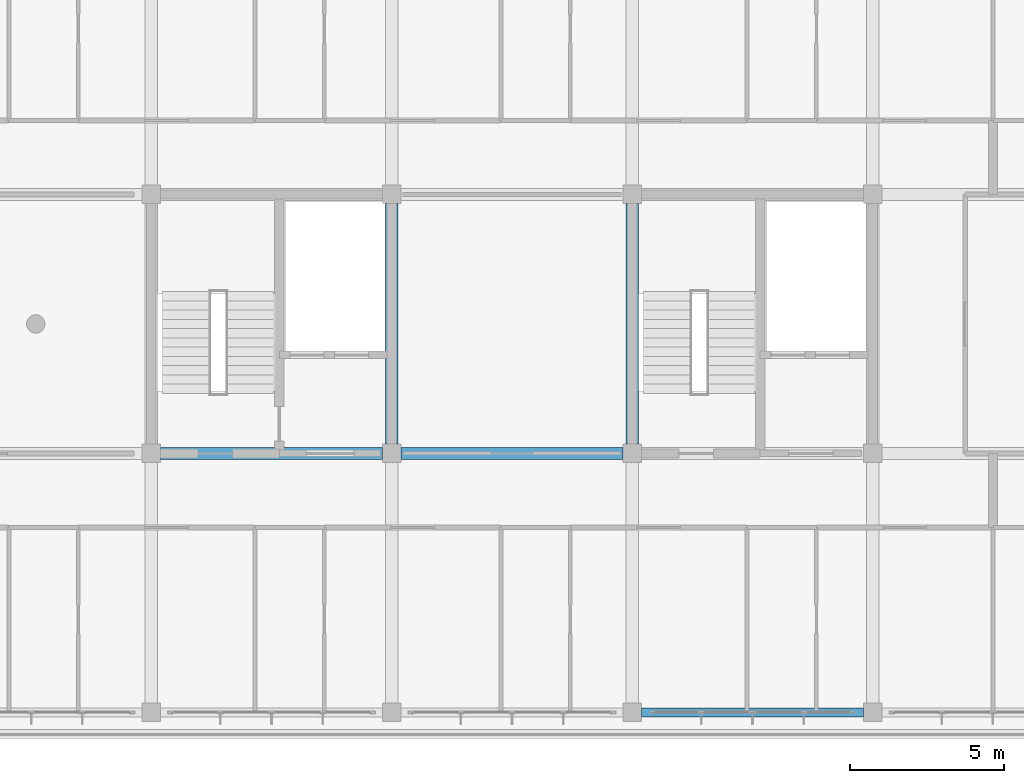
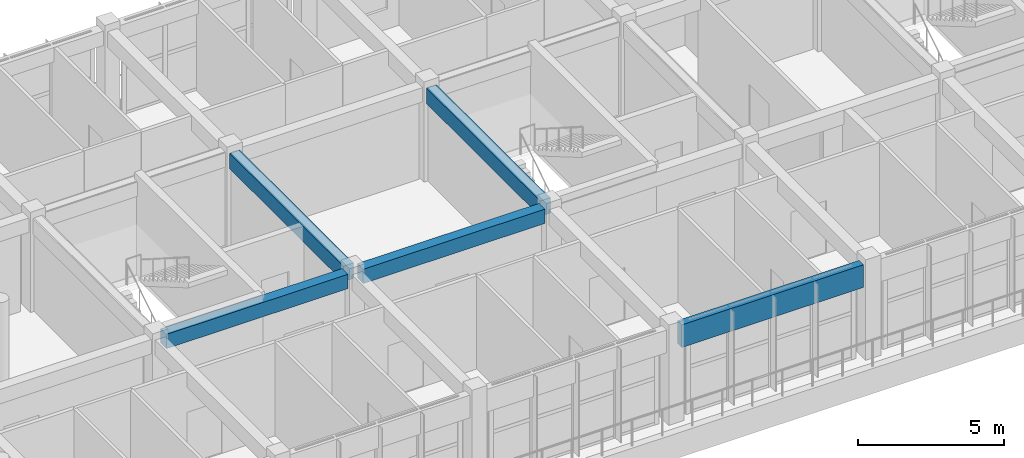
# One storey, part 13 of 56: 5 beams.
"""IFC4 building model written with IfcOpenShell, lengths in metres."""

from ifc_helpers import new_model, si_unit, direction, frame, origin, origin_2d, place, context, subcontext, project, spatial, rectangle, extrude, material, material_profile, profile_set, type_object, element, save


model = new_model("IFC4")

# Units and contexts
model_context = context("Model", 3, precision=1e-05, world=origin(), true_north=direction((0.0, 1.0)))
body_context = subcontext(model_context, "Body", "Model", "MODEL_VIEW")
ifc_project = project(units=[si_unit("LENGTHUNIT", "METRE"), si_unit("AREAUNIT", "SQUARE_METRE"), si_unit("VOLUMEUNIT", "CUBIC_METRE"), si_unit("PLANEANGLEUNIT", "RADIAN"), si_unit("MASSUNIT", "GRAM", prefix="KILO")], contexts=[model_context])

# Site, building, storey
site_placement = place(None, origin())
site = spatial("IfcSite", under=ifc_project, at=site_placement, CompositionType="ELEMENT")
building_placement = place(site_placement, origin())
building = spatial("IfcBuilding", under=site, at=building_placement, Name="Zizhar Promenade General Hospital", CompositionType="ELEMENT")
storey_placement = place(building_placement, frame((0.0, 0.0, 26.39990234375)))
storey = spatial("IfcBuildingStorey", under=building, at=storey_placement, Name="L06", CompositionType="ELEMENT", Elevation=26.39990234375)

# Beams
ifc_material_1 = material(Name="Precast concrete C40/50", Category="concrete")
ifc_material_profile_1 = material_profile(ifc_material_1, rectangle(XDim=0.300048828125, YDim=0.949951171875, at=origin_2d()))
ifc_profile_set_1 = profile_set([ifc_material_profile_1], Name="Precast concrete C40/50")
beam_type_1 = type_object("IfcBeamType", Name="BM-PC-BAND950", PredefinedType="SPANDREL", material=ifc_profile_set_1)
beam_1_placement = place(storey_placement, frame((62.699951171875, 0.0, 3.43505859375), z_axis=(1.0, 0.0, 0.0), x_axis=(0.0, 1.0, 0.0)))
element("IfcBeam", 1, at=beam_1_placement, inside=storey, type_object=beam_type_1, Name="Grid Beam X L06 (8-0)", PredefinedType="SPANDREL", context=body_context, shape_type="SweptSolid", body=[
    extrude(rectangle(XDim=0.300048828125, YDim=0.949951171875, at=origin_2d()), origin(), (0.0, 0.0, 1.0), 7.199951171875),
])
ifc_material_2 = material(Name="Concrete C35/45", Category="concrete")
ifc_material_profile_2 = material_profile(ifc_material_2, rectangle(XDim=0.39990234375, YDim=0.60009765625, at=origin_2d()))
ifc_profile_set_2 = profile_set([ifc_material_profile_2], Name="Concrete C35/45")
beam_type_2 = type_object("IfcBeamType", Name="BM-RC-400x600", PredefinedType="JOIST", material=ifc_profile_set_2)
beam_2_placement = place(storey_placement, frame((47.10009765625, 8.39990234375, 3.610107421875), z_axis=(1.0, 0.0, 0.0), x_axis=(0.0, 1.0, 0.0)))
element("IfcBeam", 2, at=beam_2_placement, inside=storey, type_object=beam_type_2, Name="Grid Beam X L06 (6-1)", PredefinedType="JOIST", context=body_context, shape_type="SweptSolid", body=[
    extrude(rectangle(XDim=0.39990234375, YDim=0.60009765625, at=origin_2d()), origin(), (0.0, 0.0, 1.0), 7.199951171875),
])
beam_3_placement = place(storey_placement, frame((54.89990234375, 8.39990234375, 3.610107421875), z_axis=(1.0, 0.0, 0.0), x_axis=(0.0, 1.0, 0.0)))
element("IfcBeam", 3, at=beam_3_placement, inside=storey, type_object=beam_type_2, Name="Grid Beam X L06 (7-1)", PredefinedType="JOIST", context=body_context, shape_type="SweptSolid", body=[
    extrude(rectangle(XDim=0.39990234375, YDim=0.60009765625, at=origin_2d()), origin(), (0.0, 0.0, 1.0), 7.2001953125),
])
ifc_material_3 = material(Name="Concrete C35/45", Category="concrete")
ifc_material_profile_3 = material_profile(ifc_material_3, rectangle(XDim=0.39990234375, YDim=0.64990234375, at=origin_2d()))
ifc_profile_set_3 = profile_set([ifc_material_profile_3], Name="Concrete C35/45")
beam_type_3 = type_object("IfcBeamType", Name="BM-RC-400x650", PredefinedType="BEAM", material=ifc_profile_set_3)
for number, where, z_axis, x_axis, name in (
    (4, (54.60009765625, 8.699951171875, 3.585205078125), (0.0, 1.0, 0.0), (-1.0, 0.0, 0.0), "Grid Beam Y L06 (7-1)"),
    (5, (62.39990234375, 8.699951171875, 3.585205078125), (0.0, 1.0, 0.0), (-1.0, 0.0, 0.0), "Grid Beam Y L06 (8-1)"),
):
    element("IfcBeam", number, at=place(storey_placement, frame(where, z_axis=z_axis, x_axis=x_axis)), inside=storey, type_object=beam_type_3, Name=name, PredefinedType="BEAM", context=body_context, shape_type="SweptSolid", body=[
        extrude(rectangle(XDim=0.39990234375, YDim=0.64990234375, at=origin_2d()), origin(), (0.0, 0.0, 1.0), 7.800048828125),
    ])

save(model, "model.ifc")
